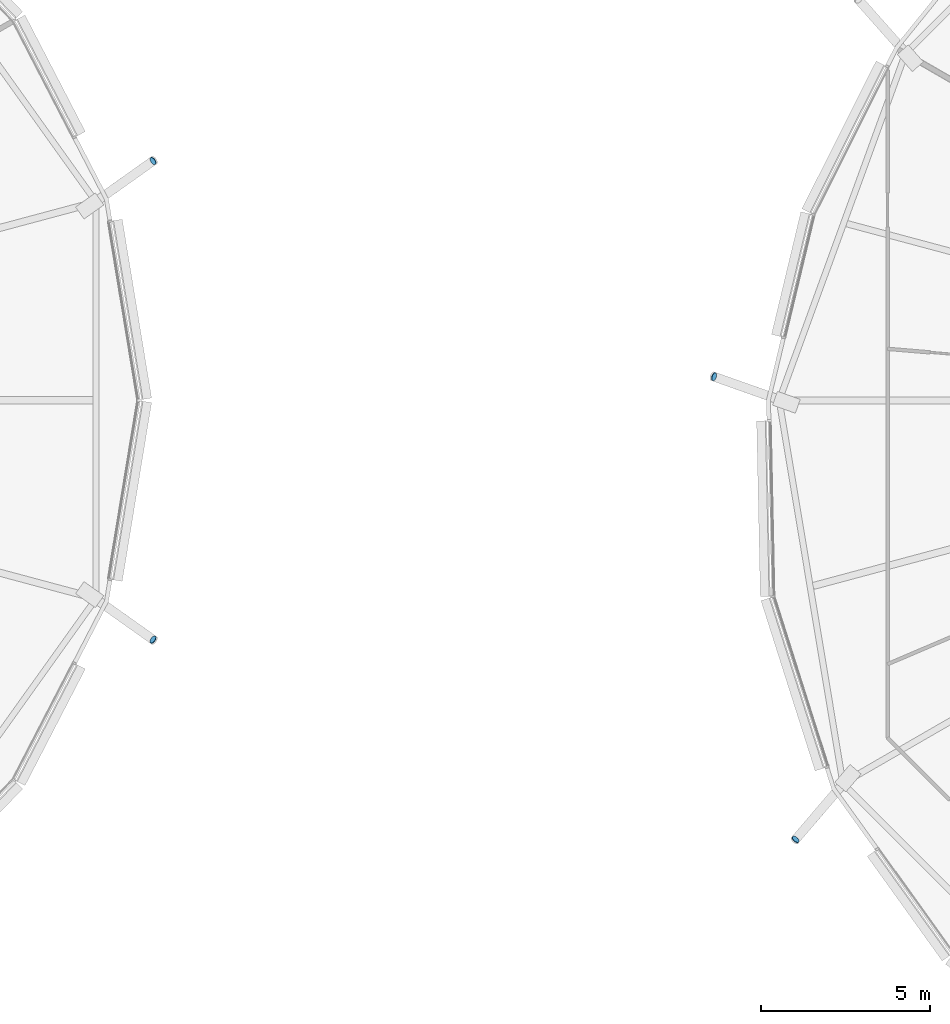
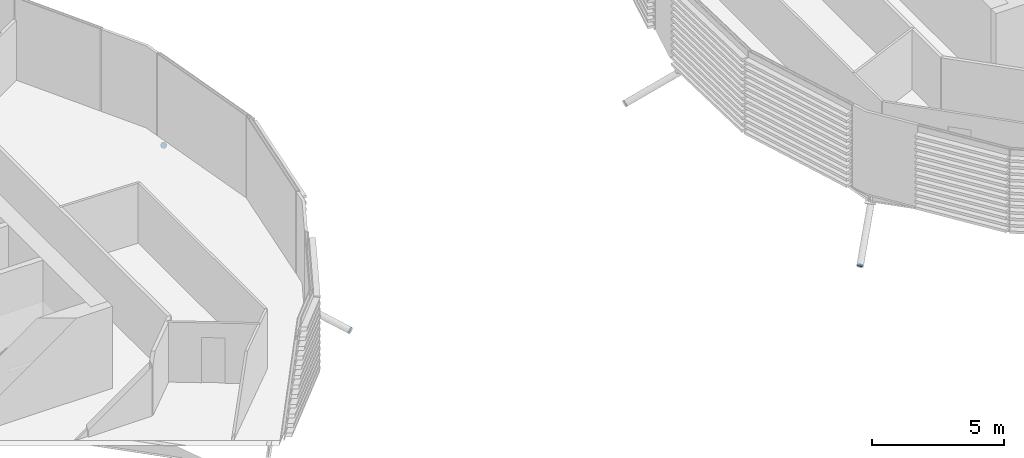
# One storey, part 28 of 38: 4 discrete accessories.
"""IFC4 building model written with IfcOpenShell, lengths in metres."""

from ifc_helpers import new_model, si_unit, direction, frame, origin, origin_2d, place, context, subcontext, project, spatial, circle, extrude, material, material_profile, profile_set, type_object, element, save


model = new_model("IFC4")

# Units and contexts
model_context = context("Model", 3, precision=1e-05, world=origin(), true_north=direction((0.0, 1.0)))
body_context = subcontext(model_context, "Body", "Model", "MODEL_VIEW")
ifc_project = project(units=[si_unit("LENGTHUNIT", "METRE"), si_unit("AREAUNIT", "SQUARE_METRE"), si_unit("VOLUMEUNIT", "CUBIC_METRE"), si_unit("PLANEANGLEUNIT", "RADIAN"), si_unit("MASSUNIT", "GRAM", prefix="KILO")], contexts=[model_context])

# Site, building, storey
site_placement = place(None, origin())
site = spatial("IfcSite", under=ifc_project, at=site_placement, CompositionType="ELEMENT")
building_placement = place(site_placement, origin())
building = spatial("IfcBuilding", under=site, at=building_placement, Name="Rimbun Link Towers", CompositionType="ELEMENT")
storey_placement = place(building_placement, frame((0.0, 0.0, 119.60009765625)))
storey = spatial("IfcBuildingStorey", under=building, at=storey_placement, Name="L29", CompositionType="ELEMENT", Elevation=119.60009765625)

# Discrete accessories
ifc_material = material(Name="Steel S355J2H", Category="steel")
ifc_material_profile = material_profile(ifc_material, circle(Radius=0.1240234375, at=origin_2d()), Name="PL D248")
ifc_profile_set = profile_set([ifc_material_profile], Name="Steel S355J2H")
discrete_accessory_type = type_object("IfcDiscreteAccessoryType", Name="Link foot sealing plate D248X20", PredefinedType="BRACKET", material=ifc_profile_set)
for number, where, z_axis, x_axis, name in (
    (1, (-8.225341796875, 7.065673828125, -2.0009765625), (0.707211903729, 0.499925656085, -0.499925656085), (-0.577235817752, 0.816577498284, 0.0), "Link foot sealing plate T1 L29 01"),
    (2, (-8.225341796875, -7.065673828125, -2.0009765625), (0.707211903729, -0.499925656085, -0.499925656085), (0.577235817752, 0.816577498284, 0.0), "Link foot sealing plate T1 L29 23"),
    (3, (8.359375, 0.69580078125, -1.994873046875), (-0.820681655452, 0.293975518371, -0.489959197285), (-0.337226361594, -0.941423592782, 0.0), "Link foot sealing plate T2 L29 09"),
    (4, (10.76513671875, -12.9658203125, -2.05322265625), (-0.557996078219, -0.655038874431, -0.509474680113), (0.761243230487, -0.6484664556, 0.0), "Link foot sealing plate T2 L29 11"),
):
    element("IfcDiscreteAccessory", number, at=place(storey_placement, frame(where, z_axis=z_axis, x_axis=x_axis)), inside=storey, type_object=discrete_accessory_type, Name=name, PredefinedType="BRACKET", context=body_context, shape_type="SweptSolid", body=[
        extrude(circle(Radius=0.1240234375, at=origin_2d()), origin(), (0.0, 0.0, 1.0), 0.02001953125),
    ])

save(model, "model.ifc")
